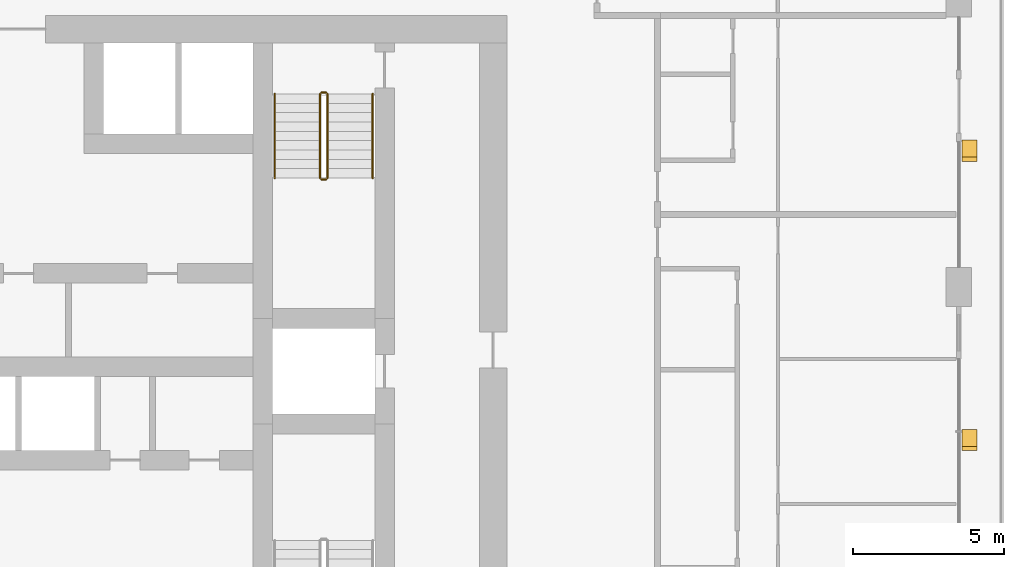
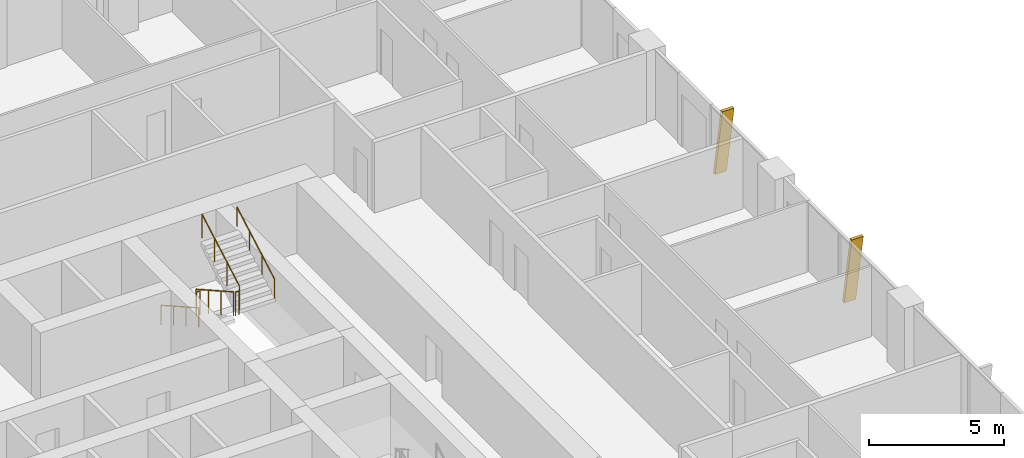
# One storey, part 21 of 22: 6 railings, 2 shading devices.
"""IFC4 building model written with IfcOpenShell, lengths in metres."""

from ifc_helpers import new_model, si_unit, direction, frame, origin, origin_2d, place, context, subcontext, project, spatial, polyline, circle, outline, extrude, material, type_object, element, save


model = new_model("IFC4")

# Units and contexts
model_context = context("Model", 3, precision=1e-05, world=origin(), true_north=direction((0.0, 1.0)))
body_context = subcontext(model_context, "Body", "Model", "MODEL_VIEW")
ifc_project = project(units=[si_unit("LENGTHUNIT", "METRE"), si_unit("AREAUNIT", "SQUARE_METRE"), si_unit("VOLUMEUNIT", "CUBIC_METRE"), si_unit("PLANEANGLEUNIT", "RADIAN"), si_unit("MASSUNIT", "GRAM", prefix="KILO")], contexts=[model_context])

# Site, building, storey
site_placement = place(None, origin())
site = spatial("IfcSite", under=ifc_project, at=site_placement, CompositionType="ELEMENT")
building_placement = place(site_placement, origin())
building = spatial("IfcBuilding", under=site, at=building_placement, Name="Madar Terraces", CompositionType="ELEMENT")
storey_placement = place(building_placement, frame((0.0, 0.0, 99.699951171875)))
storey = spatial("IfcBuildingStorey", under=building, at=storey_placement, Name="L25", CompositionType="ELEMENT", Elevation=99.699951171875)

# Shading devices
ifc_material_1 = material(Name="Aluminium, black anodised", Category="aluminium")
shading_device_type = type_object("IfcShadingDeviceType", Name="Facade fin blade 140 x 500", PredefinedType="USERDEFINED", material=ifc_material_1)
shading_device_1_placement = place(storey_placement, frame((62.75, 23.929931640625, 0.0), z_axis=(0.0, 0.0, 1.0), x_axis=(0.0, 1.0, 0.0)))
element("IfcShadingDevice", 1, at=shading_device_1_placement, inside=storey, type_object=shading_device_type, Name="FIN L25 E2", ObjectType="FIN", PredefinedType="USERDEFINED", context=body_context, shape_type="SweptSolid", body=[
    extrude(outline(polyline([(0.0, 0.0), (0.14013671875, 0.0), (-0.42431640625, 3.199951171875), (-0.564208984375, 3.199951171875), (0.0, 0.0)])), frame((0.0, 0.25, 0.0), z_axis=(0.0, -1.0, 0.0), x_axis=(1.0, 0.0, 0.0)), (0.0, 0.0, 1.0), 0.5),
])
shading_device_2_placement = place(storey_placement, frame((62.75, 33.530029296875, 0.0), z_axis=(0.0, 0.0, 1.0), x_axis=(0.0, 1.0, 0.0)))
element("IfcShadingDevice", 2, at=shading_device_2_placement, inside=storey, type_object=shading_device_type, Name="FIN L25 E3", ObjectType="FIN", PredefinedType="USERDEFINED", context=body_context, shape_type="SweptSolid", body=[
    extrude(outline(polyline([(0.0, 0.0), (0.139892578125, 0.0), (-0.42431640625, 3.199951171875), (-0.564208984375, 3.199951171875), (0.0, 0.0)])), frame((0.0, 0.25, 0.0), z_axis=(0.0, -1.0, 0.0), x_axis=(1.0, 0.0, 0.0)), (0.0, 0.0, 1.0), 0.5),
])

# Railings
ifc_material_2 = material(Name="Stainless steel railing", Category="steel")
railing_type_1 = type_object("IfcRailingType", Name="Stair guard 1100", PredefinedType="GUARDRAIL", material=ifc_material_2)
railing_1_placement = place(storey_placement, frame((41.199951171875, 35.199951171875, 0.175048828125)))
element("IfcRailing", 3, at=railing_1_placement, inside=storey, type_object=railing_type_1, Name="L25 ST2 stair guard 1", PredefinedType="GUARDRAIL", context=body_context, shape_type="SweptSolid", body=[
    extrude(circle(Radius=0.02392578125, at=origin_2d()), frame((0.0, 0.0, 1.076171875), z_axis=(0.0, -0.870833779661, 0.491577591232), x_axis=(1.0, 0.0, 0.0)), (0.0, 0.0, 1.0), 3.203857421875),
    extrude(circle(Radius=0.02099609375, at=origin_2d()), origin(), (0.0, 0.0, 1.0), 1.052001953125),
    extrude(circle(Radius=0.02099609375, at=origin_2d()), frame((0.0, -0.929931640625, 0.52490234375)), (0.0, 0.0, 1.0), 1.052001953125),
    extrude(circle(Radius=0.02099609375, at=origin_2d()), frame((0.0, -1.860107421875, 1.050048828125)), (0.0, 0.0, 1.0), 1.052001953125),
    extrude(circle(Radius=0.02099609375, at=origin_2d()), frame((0.0, -2.7900390625, 1.574951171875)), (0.0, 0.0, 1.0), 1.052001953125),
])
railing_2_placement = place(storey_placement, frame((41.25, 32.360107421875, 1.75)))
element("IfcRailing", 4, at=railing_2_placement, inside=storey, type_object=railing_type_1, Name="L25 ST2 stair guard 2", PredefinedType="GUARDRAIL", context=body_context, shape_type="SweptSolid", body=[
    extrude(circle(Radius=0.02392578125, at=origin_2d()), frame((0.0, 0.0, 1.076171875), z_axis=(1.0, 0.0, 0.0), x_axis=(0.0, 1.0, 0.0)), (0.0, 0.0, 1.0), 0.14990234375),
    extrude(circle(Radius=0.02099609375, at=origin_2d()), origin(), (0.0, 0.0, 1.0), 1.052001953125),
    extrude(circle(Radius=0.02099609375, at=origin_2d()), frame((0.14990234375, 0.0, 0.0)), (0.0, 0.0, 1.0), 1.052001953125),
])
railing_3_placement = place(storey_placement, frame((41.449951171875, 32.409912109375, 1.925048828125)))
element("IfcRailing", 5, at=railing_3_placement, inside=storey, type_object=railing_type_1, Name="L25 ST2 stair guard 3", PredefinedType="GUARDRAIL", context=body_context, shape_type="SweptSolid", body=[
    extrude(circle(Radius=0.02392578125, at=origin_2d()), frame((0.0, 0.0, 1.076171875), z_axis=(0.0, 0.870833779661, 0.491577591232), x_axis=(-1.0, 0.0, 0.0)), (0.0, 0.0, 1.0), 3.203857421875),
    extrude(circle(Radius=0.02099609375, at=origin_2d()), origin(), (0.0, 0.0, 1.0), 1.052001953125),
    extrude(circle(Radius=0.02099609375, at=origin_2d()), frame((0.0, 0.929931640625, 0.52490234375)), (0.0, 0.0, 1.0), 1.052001953125),
    extrude(circle(Radius=0.02099609375, at=origin_2d()), frame((0.0, 1.860107421875, 1.050048828125)), (0.0, 0.0, 1.0), 1.052001953125),
    extrude(circle(Radius=0.02099609375, at=origin_2d()), frame((0.0, 2.7900390625, 1.574951171875)), (0.0, 0.0, 1.0), 1.052001953125),
])
railing_4_placement = place(storey_placement, frame((41.25, 35.25, 0.0)))
element("IfcRailing", 6, at=railing_4_placement, inside=storey, type_object=railing_type_1, Name="L25 ST2 stair guard 4", PredefinedType="GUARDRAIL", context=body_context, shape_type="SweptSolid", body=[
    extrude(circle(Radius=0.02392578125, at=origin_2d()), frame((0.0, 0.0, 1.076171875), z_axis=(1.0, 0.0, 0.0), x_axis=(0.0, 1.0, 0.0)), (0.0, 0.0, 1.0), 0.14990234375),
    extrude(circle(Radius=0.02099609375, at=origin_2d()), origin(), (0.0, 0.0, 1.0), 1.052001953125),
    extrude(circle(Radius=0.02099609375, at=origin_2d()), frame((0.14990234375, 0.0, 0.0)), (0.0, 0.0, 1.0), 1.052001953125),
])
ifc_material_3 = material(Name="Stainless steel railing", Category="steel")
railing_type_2 = type_object("IfcRailingType", Name="Stair handrail 900", PredefinedType="HANDRAIL", material=ifc_material_3)
railing_5_placement = place(storey_placement, frame((39.699951171875, 35.199951171875, 0.175048828125)))
element("IfcRailing", 7, at=railing_5_placement, inside=storey, type_object=railing_type_2, Name="L25 ST2 stair handrail 1", PredefinedType="HANDRAIL", context=body_context, shape_type="SweptSolid", body=[
    extrude(circle(Radius=0.02392578125, at=origin_2d()), frame((0.0, 0.0, 0.8759765625), z_axis=(0.0, -0.870833779661, 0.491577591232), x_axis=(1.0, 0.0, 0.0)), (0.0, 0.0, 1.0), 3.203857421875),
    extrude(circle(Radius=0.02099609375, at=origin_2d()), origin(), (0.0, 0.0, 1.0), 0.851806640625),
    extrude(circle(Radius=0.02099609375, at=origin_2d()), frame((0.0, -0.929931640625, 0.52490234375)), (0.0, 0.0, 1.0), 0.851806640625),
    extrude(circle(Radius=0.02099609375, at=origin_2d()), frame((0.0, -1.860107421875, 1.050048828125)), (0.0, 0.0, 1.0), 0.851806640625),
    extrude(circle(Radius=0.02099609375, at=origin_2d()), frame((0.0, -2.7900390625, 1.574951171875)), (0.0, 0.0, 1.0), 0.851806640625),
])
railing_6_placement = place(storey_placement, frame((42.949951171875, 32.409912109375, 1.925048828125)))
element("IfcRailing", 8, at=railing_6_placement, inside=storey, type_object=railing_type_2, Name="L25 ST2 stair handrail 2", PredefinedType="HANDRAIL", context=body_context, shape_type="SweptSolid", body=[
    extrude(circle(Radius=0.02392578125, at=origin_2d()), frame((0.0, 0.0, 0.8759765625), z_axis=(0.0, 0.870833779661, 0.491577591232), x_axis=(-1.0, 0.0, 0.0)), (0.0, 0.0, 1.0), 3.203857421875),
    extrude(circle(Radius=0.02099609375, at=origin_2d()), origin(), (0.0, 0.0, 1.0), 0.851806640625),
    extrude(circle(Radius=0.02099609375, at=origin_2d()), frame((0.0, 0.929931640625, 0.52490234375)), (0.0, 0.0, 1.0), 0.851806640625),
    extrude(circle(Radius=0.02099609375, at=origin_2d()), frame((0.0, 1.860107421875, 1.050048828125)), (0.0, 0.0, 1.0), 0.851806640625),
    extrude(circle(Radius=0.02099609375, at=origin_2d()), frame((0.0, 2.7900390625, 1.574951171875)), (0.0, 0.0, 1.0), 0.851806640625),
])

save(model, "model.ifc")
